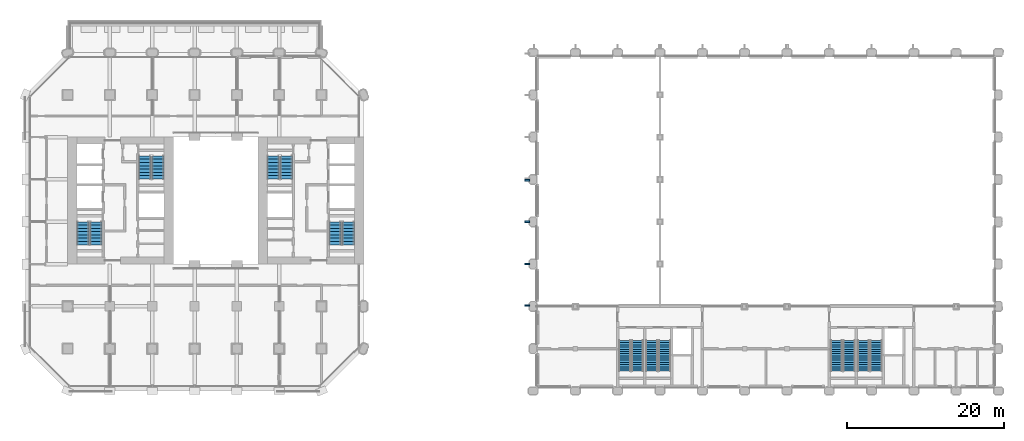
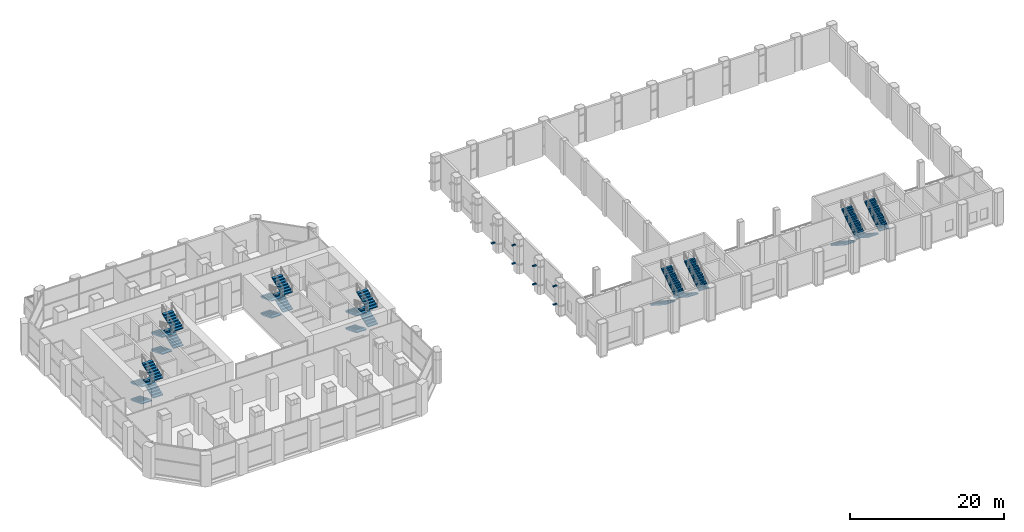
# One storey, part 17 of 27: 24 stair flights, 7 discrete accessories, 8 elements without a shape of their own.
"""IFC4 building model written with IfcOpenShell, lengths in metres."""

from ifc_helpers import new_model, si_unit, direction, frame, origin, origin_2d, place, context, subcontext, project, spatial, polyline, rectangle, outline, extrude, material, type_object, element, aggregate, save


model = new_model("IFC4")

# Units and contexts
model_context = context("Model", 3, precision=1e-05, world=origin(), true_north=direction((0.0, 1.0)))
body_context = subcontext(model_context, "Body", "Model", "MODEL_VIEW")
ifc_project = project(units=[si_unit("LENGTHUNIT", "METRE"), si_unit("AREAUNIT", "SQUARE_METRE"), si_unit("VOLUMEUNIT", "CUBIC_METRE"), si_unit("PLANEANGLEUNIT", "RADIAN"), si_unit("MASSUNIT", "GRAM", prefix="KILO")], contexts=[model_context])

# Site, building, storey
site_placement = place(None, origin())
site = spatial("IfcSite", under=ifc_project, at=site_placement, CompositionType="ELEMENT")
building_placement = place(site_placement, origin())
building = spatial("IfcBuilding", under=site, at=building_placement, Name="Tabaq Tower and Sports Hall", CompositionType="ELEMENT")
storey_placement = place(building_placement, frame((0.0, 0.0, 14.39990234375)))
storey = spatial("IfcBuildingStorey", under=building, at=storey_placement, Name="L02", CompositionType="ELEMENT", Elevation=14.39990234375)

# Stair, stair flights
ifc_material_1 = material(Name="Concrete C40/50", Category="concrete")
stair_type_1 = type_object("IfcStairType", Name="Exit stair", PredefinedType="HALF_TURN_STAIR", material=ifc_material_1)
stair_1_placement = place(storey_placement, origin())
stair_1 = element("IfcStair", 1, at=stair_1_placement, inside=storey, type_object=stair_type_1, Name="L02 Exit stair ST1", PredefinedType="HALF_TURN_STAIR")
ifc_material_2 = material(Name="Concrete C40/50", Category="concrete")
stair_flight_type_1 = type_object("IfcStairFlightType", Name="Exit stair flight", PredefinedType="STRAIGHT", material=ifc_material_2)
stair_flight_1_placement = place(storey_placement, frame((7.35009765625, 21.60009765625, 0.0), z_axis=(0.0, 0.0, 1.0), x_axis=(0.0, -1.0, 0.0)))
stair_flight_1 = element("IfcStairFlight", 2, at=stair_flight_1_placement, type_object=stair_flight_type_1, Name="ST1 flight 1", NumberOfRisers=8, NumberOfTreads=7, PredefinedType="STRAIGHT", RiserHeight=0.16875, TreadLength=0.42, context=body_context, shape_type="SweptSolid", body=[
    extrude(outline(polyline([(0.0, 0.0), (0.0, 0.168701171875), (0.419921875, 0.168701171875), (0.419921875, 0.33740234375), (0.840087890625, 0.33740234375), (0.840087890625, 0.50634765625), (1.260009765625, 0.50634765625), (1.260009765625, 0.675048828125), (1.679931640625, 0.675048828125), (1.679931640625, 0.84375), (2.10009765625, 0.84375), (2.10009765625, 1.012451171875), (2.52001953125, 1.012451171875), (2.52001953125, 1.18115234375), (2.93994140625, 1.18115234375), (2.93994140625, 1.35009765625), (2.93994140625, 1.019775390625), (0.402099609375, 0.0), (0.0, 0.0)])), frame((0.0, 0.75, 0.0), z_axis=(0.0, -1.0, 0.0), x_axis=(1.0, 0.0, 0.0)), (0.0, 0.0, 1.0), 1.5),
])
stair_flight_2_placement = place(storey_placement, frame((9.050048828125, 18.659912109375, 1.35009765625), z_axis=(0.0, 0.0, 1.0), x_axis=(0.0, 1.0, 0.0)))
stair_flight_2 = element("IfcStairFlight", 3, at=stair_flight_2_placement, type_object=stair_flight_type_1, Name="ST1 flight 2", NumberOfRisers=8, NumberOfTreads=7, PredefinedType="STRAIGHT", RiserHeight=0.16875, TreadLength=0.42, context=body_context, shape_type="SweptSolid", body=[
    extrude(outline(polyline([(0.0, 0.0), (0.0, 0.168701171875), (0.419921875, 0.168701171875), (0.419921875, 0.33740234375), (0.840087890625, 0.33740234375), (0.840087890625, 0.50634765625), (1.260009765625, 0.50634765625), (1.260009765625, 0.675048828125), (1.679931640625, 0.675048828125), (1.679931640625, 0.84375), (2.10009765625, 0.84375), (2.10009765625, 1.012451171875), (2.52001953125, 1.012451171875), (2.52001953125, 1.18115234375), (2.93994140625, 1.18115234375), (2.93994140625, 1.35009765625), (2.93994140625, 1.019775390625), (0.402099609375, 0.0), (0.0, 0.0)])), frame((0.0, 0.75, 0.0), z_axis=(0.0, -1.0, 0.0), x_axis=(1.0, 0.0, 0.0)), (0.0, 0.0, 1.0), 1.5),
])
stair_flight_3_placement = place(storey_placement, frame((7.35009765625, 21.60009765625, 2.7001953125), z_axis=(0.0, 0.0, 1.0), x_axis=(0.0, -1.0, 0.0)))
stair_flight_3 = element("IfcStairFlight", 4, at=stair_flight_3_placement, type_object=stair_flight_type_1, Name="ST1 flight 3", NumberOfRisers=8, NumberOfTreads=7, PredefinedType="STRAIGHT", RiserHeight=0.16875, TreadLength=0.42, context=body_context, shape_type="SweptSolid", body=[
    extrude(outline(polyline([(0.0, 0.0), (0.0, 0.168701171875), (0.419921875, 0.168701171875), (0.419921875, 0.33740234375), (0.840087890625, 0.33740234375), (0.840087890625, 0.50634765625), (1.260009765625, 0.50634765625), (1.260009765625, 0.675048828125), (1.679931640625, 0.675048828125), (1.679931640625, 0.84375), (2.10009765625, 0.84375), (2.10009765625, 1.012451171875), (2.52001953125, 1.012451171875), (2.52001953125, 1.18115234375), (2.93994140625, 1.18115234375), (2.93994140625, 1.35009765625), (2.93994140625, 1.019775390625), (0.402099609375, 0.0), (0.0, 0.0)])), frame((0.0, 0.75, 0.0), z_axis=(0.0, -1.0, 0.0), x_axis=(1.0, 0.0, 0.0)), (0.0, 0.0, 1.0), 1.5),
])
stair_flight_4_placement = place(storey_placement, frame((9.050048828125, 18.659912109375, 4.050048828125), z_axis=(0.0, 0.0, 1.0), x_axis=(0.0, 1.0, 0.0)))
stair_flight_4 = element("IfcStairFlight", 5, at=stair_flight_4_placement, type_object=stair_flight_type_1, Name="ST1 flight 4", NumberOfRisers=8, NumberOfTreads=7, PredefinedType="STRAIGHT", RiserHeight=0.16875, TreadLength=0.42, context=body_context, shape_type="SweptSolid", body=[
    extrude(outline(polyline([(0.0, 0.0), (0.0, 0.168701171875), (0.419921875, 0.168701171875), (0.419921875, 0.33740234375), (0.840087890625, 0.33740234375), (0.840087890625, 0.50634765625), (1.260009765625, 0.50634765625), (1.260009765625, 0.675048828125), (1.679931640625, 0.675048828125), (1.679931640625, 0.84375), (2.10009765625, 0.84375), (2.10009765625, 1.012451171875), (2.52001953125, 1.012451171875), (2.52001953125, 1.18115234375), (2.93994140625, 1.18115234375), (2.93994140625, 1.35009765625), (2.93994140625, 1.019775390625), (0.402099609375, 0.0), (0.0, 0.0)])), frame((0.0, 0.75, 0.0), z_axis=(0.0, -1.0, 0.0), x_axis=(1.0, 0.0, 0.0)), (0.0, 0.0, 1.0), 1.5),
])
aggregate(stair_1, [stair_flight_1, stair_flight_2, stair_flight_3, stair_flight_4])

stair_2_placement = place(storey_placement, origin())
stair_2 = element("IfcStair", 6, at=stair_2_placement, inside=storey, type_object=stair_type_1, Name="L02 Exit stair ST2", PredefinedType="HALF_TURN_STAIR")
stair_flight_5_placement = place(storey_placement, frame((15.25, 30.0, 0.0), z_axis=(0.0, 0.0, 1.0), x_axis=(0.0, -1.0, 0.0)))
stair_flight_5 = element("IfcStairFlight", 7, at=stair_flight_5_placement, type_object=stair_flight_type_1, Name="ST2 flight 1", NumberOfRisers=8, NumberOfTreads=7, PredefinedType="STRAIGHT", RiserHeight=0.16875, TreadLength=0.42, context=body_context, shape_type="SweptSolid", body=[
    extrude(outline(polyline([(0.0, 0.0), (0.0, 0.168701171875), (0.419921875, 0.168701171875), (0.419921875, 0.33740234375), (0.840087890625, 0.33740234375), (0.840087890625, 0.50634765625), (1.260009765625, 0.50634765625), (1.260009765625, 0.675048828125), (1.679931640625, 0.675048828125), (1.679931640625, 0.84375), (2.10009765625, 0.84375), (2.10009765625, 1.012451171875), (2.52001953125, 1.012451171875), (2.52001953125, 1.18115234375), (2.93994140625, 1.18115234375), (2.93994140625, 1.35009765625), (2.93994140625, 1.019775390625), (0.402099609375, 0.0), (0.0, 0.0)])), frame((0.0, 0.75, 0.0), z_axis=(0.0, -1.0, 0.0), x_axis=(1.0, 0.0, 0.0)), (0.0, 0.0, 1.0), 1.5),
])
stair_flight_6_placement = place(storey_placement, frame((16.949951171875, 27.06005859375, 1.35009765625), z_axis=(0.0, 0.0, 1.0), x_axis=(0.0, 1.0, 0.0)))
stair_flight_6 = element("IfcStairFlight", 8, at=stair_flight_6_placement, type_object=stair_flight_type_1, Name="ST2 flight 2", NumberOfRisers=8, NumberOfTreads=7, PredefinedType="STRAIGHT", RiserHeight=0.16875, TreadLength=0.42, context=body_context, shape_type="SweptSolid", body=[
    extrude(outline(polyline([(0.0, 0.0), (0.0, 0.168701171875), (0.419921875, 0.168701171875), (0.419921875, 0.33740234375), (0.840087890625, 0.33740234375), (0.840087890625, 0.50634765625), (1.260009765625, 0.50634765625), (1.260009765625, 0.675048828125), (1.679931640625, 0.675048828125), (1.679931640625, 0.84375), (2.10009765625, 0.84375), (2.10009765625, 1.012451171875), (2.52001953125, 1.012451171875), (2.52001953125, 1.18115234375), (2.93994140625, 1.18115234375), (2.93994140625, 1.35009765625), (2.93994140625, 1.019775390625), (0.402099609375, 0.0), (0.0, 0.0)])), frame((0.0, 0.75, 0.0), z_axis=(0.0, -1.0, 0.0), x_axis=(1.0, 0.0, 0.0)), (0.0, 0.0, 1.0), 1.5),
])
stair_flight_7_placement = place(storey_placement, frame((15.25, 30.0, 2.7001953125), z_axis=(0.0, 0.0, 1.0), x_axis=(0.0, -1.0, 0.0)))
stair_flight_7 = element("IfcStairFlight", 9, at=stair_flight_7_placement, type_object=stair_flight_type_1, Name="ST2 flight 3", NumberOfRisers=8, NumberOfTreads=7, PredefinedType="STRAIGHT", RiserHeight=0.16875, TreadLength=0.42, context=body_context, shape_type="SweptSolid", body=[
    extrude(outline(polyline([(0.0, 0.0), (0.0, 0.168701171875), (0.419921875, 0.168701171875), (0.419921875, 0.33740234375), (0.840087890625, 0.33740234375), (0.840087890625, 0.50634765625), (1.260009765625, 0.50634765625), (1.260009765625, 0.675048828125), (1.679931640625, 0.675048828125), (1.679931640625, 0.84375), (2.10009765625, 0.84375), (2.10009765625, 1.012451171875), (2.52001953125, 1.012451171875), (2.52001953125, 1.18115234375), (2.93994140625, 1.18115234375), (2.93994140625, 1.35009765625), (2.93994140625, 1.019775390625), (0.402099609375, 0.0), (0.0, 0.0)])), frame((0.0, 0.75, 0.0), z_axis=(0.0, -1.0, 0.0), x_axis=(1.0, 0.0, 0.0)), (0.0, 0.0, 1.0), 1.5),
])
stair_flight_8_placement = place(storey_placement, frame((16.949951171875, 27.06005859375, 4.050048828125), z_axis=(0.0, 0.0, 1.0), x_axis=(0.0, 1.0, 0.0)))
stair_flight_8 = element("IfcStairFlight", 10, at=stair_flight_8_placement, type_object=stair_flight_type_1, Name="ST2 flight 4", NumberOfRisers=8, NumberOfTreads=7, PredefinedType="STRAIGHT", RiserHeight=0.16875, TreadLength=0.42, context=body_context, shape_type="SweptSolid", body=[
    extrude(outline(polyline([(0.0, 0.0), (0.0, 0.168701171875), (0.419921875, 0.168701171875), (0.419921875, 0.33740234375), (0.840087890625, 0.33740234375), (0.840087890625, 0.50634765625), (1.260009765625, 0.50634765625), (1.260009765625, 0.675048828125), (1.679931640625, 0.675048828125), (1.679931640625, 0.84375), (2.10009765625, 0.84375), (2.10009765625, 1.012451171875), (2.52001953125, 1.012451171875), (2.52001953125, 1.18115234375), (2.93994140625, 1.18115234375), (2.93994140625, 1.35009765625), (2.93994140625, 1.019775390625), (0.402099609375, 0.0), (0.0, 0.0)])), frame((0.0, 0.75, 0.0), z_axis=(0.0, -1.0, 0.0), x_axis=(1.0, 0.0, 0.0)), (0.0, 0.0, 1.0), 1.5),
])
aggregate(stair_2, [stair_flight_5, stair_flight_6, stair_flight_7, stair_flight_8])

stair_3_placement = place(storey_placement, origin())
stair_3 = element("IfcStair", 11, at=stair_3_placement, inside=storey, type_object=stair_type_1, Name="L02 Exit stair ST3", PredefinedType="HALF_TURN_STAIR")
stair_flight_9_placement = place(storey_placement, frame((39.550048828125, 21.60009765625, 0.0), z_axis=(0.0, 0.0, 1.0), x_axis=(0.0, -1.0, 0.0)))
stair_flight_9 = element("IfcStairFlight", 12, at=stair_flight_9_placement, type_object=stair_flight_type_1, Name="ST3 flight 1", NumberOfRisers=8, NumberOfTreads=7, PredefinedType="STRAIGHT", RiserHeight=0.16875, TreadLength=0.42, context=body_context, shape_type="SweptSolid", body=[
    extrude(outline(polyline([(0.0, 0.0), (0.0, 0.168701171875), (0.419921875, 0.168701171875), (0.419921875, 0.33740234375), (0.840087890625, 0.33740234375), (0.840087890625, 0.50634765625), (1.260009765625, 0.50634765625), (1.260009765625, 0.675048828125), (1.679931640625, 0.675048828125), (1.679931640625, 0.84375), (2.10009765625, 0.84375), (2.10009765625, 1.012451171875), (2.52001953125, 1.012451171875), (2.52001953125, 1.18115234375), (2.93994140625, 1.18115234375), (2.93994140625, 1.35009765625), (2.93994140625, 1.019775390625), (0.402099609375, 0.0), (0.0, 0.0)])), frame((0.0, 0.75, 0.0), z_axis=(0.0, -1.0, 0.0), x_axis=(1.0, 0.0, 0.0)), (0.0, 0.0, 1.0), 1.5),
])
stair_flight_10_placement = place(storey_placement, frame((41.25, 18.659912109375, 1.35009765625), z_axis=(0.0, 0.0, 1.0), x_axis=(0.0, 1.0, 0.0)))
stair_flight_10 = element("IfcStairFlight", 13, at=stair_flight_10_placement, type_object=stair_flight_type_1, Name="ST3 flight 2", NumberOfRisers=8, NumberOfTreads=7, PredefinedType="STRAIGHT", RiserHeight=0.16875, TreadLength=0.42, context=body_context, shape_type="SweptSolid", body=[
    extrude(outline(polyline([(0.0, 0.0), (0.0, 0.168701171875), (0.419921875, 0.168701171875), (0.419921875, 0.33740234375), (0.840087890625, 0.33740234375), (0.840087890625, 0.50634765625), (1.260009765625, 0.50634765625), (1.260009765625, 0.675048828125), (1.679931640625, 0.675048828125), (1.679931640625, 0.84375), (2.10009765625, 0.84375), (2.10009765625, 1.012451171875), (2.52001953125, 1.012451171875), (2.52001953125, 1.18115234375), (2.93994140625, 1.18115234375), (2.93994140625, 1.35009765625), (2.93994140625, 1.019775390625), (0.402099609375, 0.0), (0.0, 0.0)])), frame((0.0, 0.75, 0.0), z_axis=(0.0, -1.0, 0.0), x_axis=(1.0, 0.0, 0.0)), (0.0, 0.0, 1.0), 1.5),
])
stair_flight_11_placement = place(storey_placement, frame((39.550048828125, 21.60009765625, 2.7001953125), z_axis=(0.0, 0.0, 1.0), x_axis=(0.0, -1.0, 0.0)))
stair_flight_11 = element("IfcStairFlight", 14, at=stair_flight_11_placement, type_object=stair_flight_type_1, Name="ST3 flight 3", NumberOfRisers=8, NumberOfTreads=7, PredefinedType="STRAIGHT", RiserHeight=0.16875, TreadLength=0.42, context=body_context, shape_type="SweptSolid", body=[
    extrude(outline(polyline([(0.0, 0.0), (0.0, 0.168701171875), (0.419921875, 0.168701171875), (0.419921875, 0.33740234375), (0.840087890625, 0.33740234375), (0.840087890625, 0.50634765625), (1.260009765625, 0.50634765625), (1.260009765625, 0.675048828125), (1.679931640625, 0.675048828125), (1.679931640625, 0.84375), (2.10009765625, 0.84375), (2.10009765625, 1.012451171875), (2.52001953125, 1.012451171875), (2.52001953125, 1.18115234375), (2.93994140625, 1.18115234375), (2.93994140625, 1.35009765625), (2.93994140625, 1.019775390625), (0.402099609375, 0.0), (0.0, 0.0)])), frame((0.0, 0.75, 0.0), z_axis=(0.0, -1.0, 0.0), x_axis=(1.0, 0.0, 0.0)), (0.0, 0.0, 1.0), 1.5),
])
stair_flight_12_placement = place(storey_placement, frame((41.25, 18.659912109375, 4.050048828125), z_axis=(0.0, 0.0, 1.0), x_axis=(0.0, 1.0, 0.0)))
stair_flight_12 = element("IfcStairFlight", 15, at=stair_flight_12_placement, type_object=stair_flight_type_1, Name="ST3 flight 4", NumberOfRisers=8, NumberOfTreads=7, PredefinedType="STRAIGHT", RiserHeight=0.16875, TreadLength=0.42, context=body_context, shape_type="SweptSolid", body=[
    extrude(outline(polyline([(0.0, 0.0), (0.0, 0.168701171875), (0.419921875, 0.168701171875), (0.419921875, 0.33740234375), (0.840087890625, 0.33740234375), (0.840087890625, 0.50634765625), (1.260009765625, 0.50634765625), (1.260009765625, 0.675048828125), (1.679931640625, 0.675048828125), (1.679931640625, 0.84375), (2.10009765625, 0.84375), (2.10009765625, 1.012451171875), (2.52001953125, 1.012451171875), (2.52001953125, 1.18115234375), (2.93994140625, 1.18115234375), (2.93994140625, 1.35009765625), (2.93994140625, 1.019775390625), (0.402099609375, 0.0), (0.0, 0.0)])), frame((0.0, 0.75, 0.0), z_axis=(0.0, -1.0, 0.0), x_axis=(1.0, 0.0, 0.0)), (0.0, 0.0, 1.0), 1.5),
])
aggregate(stair_3, [stair_flight_9, stair_flight_10, stair_flight_11, stair_flight_12])

stair_4_placement = place(storey_placement, origin())
stair_4 = element("IfcStair", 16, at=stair_4_placement, inside=storey, type_object=stair_type_1, Name="L02 Exit stair ST4", PredefinedType="HALF_TURN_STAIR")
stair_flight_13_placement = place(storey_placement, frame((31.64990234375, 30.0, 0.0), z_axis=(0.0, 0.0, 1.0), x_axis=(0.0, -1.0, 0.0)))
stair_flight_13 = element("IfcStairFlight", 17, at=stair_flight_13_placement, type_object=stair_flight_type_1, Name="ST4 flight 1", NumberOfRisers=8, NumberOfTreads=7, PredefinedType="STRAIGHT", RiserHeight=0.16875, TreadLength=0.42, context=body_context, shape_type="SweptSolid", body=[
    extrude(outline(polyline([(0.0, 0.0), (0.0, 0.168701171875), (0.419921875, 0.168701171875), (0.419921875, 0.33740234375), (0.840087890625, 0.33740234375), (0.840087890625, 0.50634765625), (1.260009765625, 0.50634765625), (1.260009765625, 0.675048828125), (1.679931640625, 0.675048828125), (1.679931640625, 0.84375), (2.10009765625, 0.84375), (2.10009765625, 1.012451171875), (2.52001953125, 1.012451171875), (2.52001953125, 1.18115234375), (2.93994140625, 1.18115234375), (2.93994140625, 1.35009765625), (2.93994140625, 1.019775390625), (0.402099609375, 0.0), (0.0, 0.0)])), frame((0.0, 0.75, 0.0), z_axis=(0.0, -1.0, 0.0), x_axis=(1.0, 0.0, 0.0)), (0.0, 0.0, 1.0), 1.5),
])
stair_flight_14_placement = place(storey_placement, frame((33.35009765625, 27.06005859375, 1.35009765625), z_axis=(0.0, 0.0, 1.0), x_axis=(0.0, 1.0, 0.0)))
stair_flight_14 = element("IfcStairFlight", 18, at=stair_flight_14_placement, type_object=stair_flight_type_1, Name="ST4 flight 2", NumberOfRisers=8, NumberOfTreads=7, PredefinedType="STRAIGHT", RiserHeight=0.16875, TreadLength=0.42, context=body_context, shape_type="SweptSolid", body=[
    extrude(outline(polyline([(0.0, 0.0), (0.0, 0.168701171875), (0.419921875, 0.168701171875), (0.419921875, 0.33740234375), (0.840087890625, 0.33740234375), (0.840087890625, 0.50634765625), (1.260009765625, 0.50634765625), (1.260009765625, 0.675048828125), (1.679931640625, 0.675048828125), (1.679931640625, 0.84375), (2.10009765625, 0.84375), (2.10009765625, 1.012451171875), (2.52001953125, 1.012451171875), (2.52001953125, 1.18115234375), (2.93994140625, 1.18115234375), (2.93994140625, 1.35009765625), (2.93994140625, 1.019775390625), (0.402099609375, 0.0), (0.0, 0.0)])), frame((0.0, 0.75, 0.0), z_axis=(0.0, -1.0, 0.0), x_axis=(1.0, 0.0, 0.0)), (0.0, 0.0, 1.0), 1.5),
])
stair_flight_15_placement = place(storey_placement, frame((31.64990234375, 30.0, 2.7001953125), z_axis=(0.0, 0.0, 1.0), x_axis=(0.0, -1.0, 0.0)))
stair_flight_15 = element("IfcStairFlight", 19, at=stair_flight_15_placement, type_object=stair_flight_type_1, Name="ST4 flight 3", NumberOfRisers=8, NumberOfTreads=7, PredefinedType="STRAIGHT", RiserHeight=0.16875, TreadLength=0.42, context=body_context, shape_type="SweptSolid", body=[
    extrude(outline(polyline([(0.0, 0.0), (0.0, 0.168701171875), (0.419921875, 0.168701171875), (0.419921875, 0.33740234375), (0.840087890625, 0.33740234375), (0.840087890625, 0.50634765625), (1.260009765625, 0.50634765625), (1.260009765625, 0.675048828125), (1.679931640625, 0.675048828125), (1.679931640625, 0.84375), (2.10009765625, 0.84375), (2.10009765625, 1.012451171875), (2.52001953125, 1.012451171875), (2.52001953125, 1.18115234375), (2.93994140625, 1.18115234375), (2.93994140625, 1.35009765625), (2.93994140625, 1.019775390625), (0.402099609375, 0.0), (0.0, 0.0)])), frame((0.0, 0.75, 0.0), z_axis=(0.0, -1.0, 0.0), x_axis=(1.0, 0.0, 0.0)), (0.0, 0.0, 1.0), 1.5),
])
stair_flight_16_placement = place(storey_placement, frame((33.35009765625, 27.06005859375, 4.050048828125), z_axis=(0.0, 0.0, 1.0), x_axis=(0.0, 1.0, 0.0)))
stair_flight_16 = element("IfcStairFlight", 20, at=stair_flight_16_placement, type_object=stair_flight_type_1, Name="ST4 flight 4", NumberOfRisers=8, NumberOfTreads=7, PredefinedType="STRAIGHT", RiserHeight=0.16875, TreadLength=0.42, context=body_context, shape_type="SweptSolid", body=[
    extrude(outline(polyline([(0.0, 0.0), (0.0, 0.168701171875), (0.419921875, 0.168701171875), (0.419921875, 0.33740234375), (0.840087890625, 0.33740234375), (0.840087890625, 0.50634765625), (1.260009765625, 0.50634765625), (1.260009765625, 0.675048828125), (1.679931640625, 0.675048828125), (1.679931640625, 0.84375), (2.10009765625, 0.84375), (2.10009765625, 1.012451171875), (2.52001953125, 1.012451171875), (2.52001953125, 1.18115234375), (2.93994140625, 1.18115234375), (2.93994140625, 1.35009765625), (2.93994140625, 1.019775390625), (0.402099609375, 0.0), (0.0, 0.0)])), frame((0.0, 0.75, 0.0), z_axis=(0.0, -1.0, 0.0), x_axis=(1.0, 0.0, 0.0)), (0.0, 0.0, 1.0), 1.5),
])
aggregate(stair_4, [stair_flight_13, stair_flight_14, stair_flight_15, stair_flight_16])

ifc_material_3 = material(Name="Concrete C40/50", Category="concrete")
stair_type_2 = type_object("IfcStairType", Name="HALL STAIR HALF-TURN", PredefinedType="HALF_TURN_STAIR", material=ifc_material_3)
stair_5_placement = place(storey_placement, origin())
stair_5 = element("IfcStair", 21, at=stair_5_placement, inside=storey, type_object=stair_type_2, Name="L02 Stair H1", PredefinedType="HALF_TURN_STAIR")
ifc_material_4 = material(Name="Concrete C40/50", Category="concrete")
stair_flight_type_2 = type_object("IfcStairFlightType", Name="HALL STAIR FLIGHT 1500", PredefinedType="STRAIGHT", material=ifc_material_4)
stair_flight_17_placement = place(storey_placement, frame((76.5, 6.449951171875, 0.0), z_axis=(0.0, 0.0, 1.0), x_axis=(0.0, -1.0, 0.0)))
stair_flight_17 = element("IfcStairFlight", 22, at=stair_flight_17_placement, type_object=stair_flight_type_2, Name="ST-H1 flight 1", NumberOfRisers=15, NumberOfTreads=14, PredefinedType="STRAIGHT", RiserHeight=0.18, TreadLength=0.28, context=body_context, shape_type="SweptSolid", body=[
    extrude(outline(polyline([(0.0, 0.0), (0.0, 0.179931640625), (0.280029296875, 0.179931640625), (0.280029296875, 0.360107421875), (0.56005859375, 0.360107421875), (0.56005859375, 0.5400390625), (0.840087890625, 0.5400390625), (0.840087890625, 0.719970703125), (1.1201171875, 0.719970703125), (1.1201171875, 0.89990234375), (1.39990234375, 0.89990234375), (1.39990234375, 1.080078125), (1.679931640625, 1.080078125), (1.679931640625, 1.260009765625), (1.9599609375, 1.260009765625), (1.9599609375, 1.43994140625), (2.239990234375, 1.43994140625), (2.239990234375, 1.6201171875), (2.52001953125, 1.6201171875), (2.52001953125, 1.800048828125), (2.800048828125, 1.800048828125), (2.800048828125, 1.97998046875), (3.080078125, 1.97998046875), (3.080078125, 2.159912109375), (3.360107421875, 2.159912109375), (3.360107421875, 2.340087890625), (3.639892578125, 2.340087890625), (3.639892578125, 2.52001953125), (3.919921875, 2.52001953125), (3.919921875, 2.699951171875), (3.919921875, 2.341796875), (0.277099609375, 0.0), (0.0, 0.0)])), frame((0.0, 0.75, 0.0), z_axis=(0.0, -1.0, 0.0), x_axis=(1.0, 0.0, 0.0)), (0.0, 0.0, 1.0), 1.5),
])
stair_flight_18_placement = place(storey_placement, frame((78.14990234375, 2.530029296875, 2.7001953125), z_axis=(0.0, 0.0, 1.0), x_axis=(0.0, 1.0, 0.0)))
stair_flight_18 = element("IfcStairFlight", 23, at=stair_flight_18_placement, type_object=stair_flight_type_2, Name="ST-H1 flight 2", NumberOfRisers=15, NumberOfTreads=14, PredefinedType="STRAIGHT", RiserHeight=0.18, TreadLength=0.28, context=body_context, shape_type="SweptSolid", body=[
    extrude(outline(polyline([(0.0, 0.0), (0.0, 0.179931640625), (0.280029296875, 0.179931640625), (0.280029296875, 0.360107421875), (0.56005859375, 0.360107421875), (0.56005859375, 0.5400390625), (0.840087890625, 0.5400390625), (0.840087890625, 0.719970703125), (1.1201171875, 0.719970703125), (1.1201171875, 0.89990234375), (1.39990234375, 0.89990234375), (1.39990234375, 1.080078125), (1.679931640625, 1.080078125), (1.679931640625, 1.260009765625), (1.9599609375, 1.260009765625), (1.9599609375, 1.43994140625), (2.239990234375, 1.43994140625), (2.239990234375, 1.6201171875), (2.52001953125, 1.6201171875), (2.52001953125, 1.800048828125), (2.800048828125, 1.800048828125), (2.800048828125, 1.97998046875), (3.080078125, 1.97998046875), (3.080078125, 2.159912109375), (3.360107421875, 2.159912109375), (3.360107421875, 2.340087890625), (3.639892578125, 2.340087890625), (3.639892578125, 2.52001953125), (3.919921875, 2.52001953125), (3.919921875, 2.699951171875), (3.919921875, 2.341796875), (0.277099609375, 0.0), (0.0, 0.0)])), frame((0.0, 0.75, 0.0), z_axis=(0.0, -1.0, 0.0), x_axis=(1.0, 0.0, 0.0)), (0.0, 0.0, 1.0), 1.5),
])
aggregate(stair_5, [stair_flight_17, stair_flight_18])

stair_6_placement = place(storey_placement, origin())
stair_6 = element("IfcStair", 24, at=stair_6_placement, inside=storey, type_object=stair_type_2, Name="L02 Stair H2", PredefinedType="HALF_TURN_STAIR")
stair_flight_19_placement = place(storey_placement, frame((79.949951171875, 6.449951171875, 0.0), z_axis=(0.0, 0.0, 1.0), x_axis=(0.0, -1.0, 0.0)))
stair_flight_19 = element("IfcStairFlight", 25, at=stair_flight_19_placement, type_object=stair_flight_type_2, Name="ST-H2 flight 1", NumberOfRisers=15, NumberOfTreads=14, PredefinedType="STRAIGHT", RiserHeight=0.18, TreadLength=0.28, context=body_context, shape_type="SweptSolid", body=[
    extrude(outline(polyline([(0.0, 0.0), (0.0, 0.179931640625), (0.280029296875, 0.179931640625), (0.280029296875, 0.360107421875), (0.56005859375, 0.360107421875), (0.56005859375, 0.5400390625), (0.840087890625, 0.5400390625), (0.840087890625, 0.719970703125), (1.1201171875, 0.719970703125), (1.1201171875, 0.89990234375), (1.39990234375, 0.89990234375), (1.39990234375, 1.080078125), (1.679931640625, 1.080078125), (1.679931640625, 1.260009765625), (1.9599609375, 1.260009765625), (1.9599609375, 1.43994140625), (2.239990234375, 1.43994140625), (2.239990234375, 1.6201171875), (2.52001953125, 1.6201171875), (2.52001953125, 1.800048828125), (2.800048828125, 1.800048828125), (2.800048828125, 1.97998046875), (3.080078125, 1.97998046875), (3.080078125, 2.159912109375), (3.360107421875, 2.159912109375), (3.360107421875, 2.340087890625), (3.639892578125, 2.340087890625), (3.639892578125, 2.52001953125), (3.919921875, 2.52001953125), (3.919921875, 2.699951171875), (3.919921875, 2.341796875), (0.277099609375, 0.0), (0.0, 0.0)])), frame((0.0, 0.75, 0.0), z_axis=(0.0, -1.0, 0.0), x_axis=(1.0, 0.0, 0.0)), (0.0, 0.0, 1.0), 1.5),
])
stair_flight_20_placement = place(storey_placement, frame((81.60009765625, 2.530029296875, 2.7001953125), z_axis=(0.0, 0.0, 1.0), x_axis=(0.0, 1.0, 0.0)))
stair_flight_20 = element("IfcStairFlight", 26, at=stair_flight_20_placement, type_object=stair_flight_type_2, Name="ST-H2 flight 2", NumberOfRisers=15, NumberOfTreads=14, PredefinedType="STRAIGHT", RiserHeight=0.18, TreadLength=0.28, context=body_context, shape_type="SweptSolid", body=[
    extrude(outline(polyline([(0.0, 0.0), (0.0, 0.179931640625), (0.280029296875, 0.179931640625), (0.280029296875, 0.360107421875), (0.56005859375, 0.360107421875), (0.56005859375, 0.5400390625), (0.840087890625, 0.5400390625), (0.840087890625, 0.719970703125), (1.1201171875, 0.719970703125), (1.1201171875, 0.89990234375), (1.39990234375, 0.89990234375), (1.39990234375, 1.080078125), (1.679931640625, 1.080078125), (1.679931640625, 1.260009765625), (1.9599609375, 1.260009765625), (1.9599609375, 1.43994140625), (2.239990234375, 1.43994140625), (2.239990234375, 1.6201171875), (2.52001953125, 1.6201171875), (2.52001953125, 1.800048828125), (2.800048828125, 1.800048828125), (2.800048828125, 1.97998046875), (3.080078125, 1.97998046875), (3.080078125, 2.159912109375), (3.360107421875, 2.159912109375), (3.360107421875, 2.340087890625), (3.639892578125, 2.340087890625), (3.639892578125, 2.52001953125), (3.919921875, 2.52001953125), (3.919921875, 2.699951171875), (3.919921875, 2.341796875), (0.277099609375, 0.0), (0.0, 0.0)])), frame((0.0, 0.75, 0.0), z_axis=(0.0, -1.0, 0.0), x_axis=(1.0, 0.0, 0.0)), (0.0, 0.0, 1.0), 1.5),
])
aggregate(stair_6, [stair_flight_19, stair_flight_20])

stair_7_placement = place(storey_placement, origin())
stair_7 = element("IfcStair", 27, at=stair_7_placement, inside=storey, type_object=stair_type_2, Name="L02 Stair H3", PredefinedType="HALF_TURN_STAIR")
stair_flight_21_placement = place(storey_placement, frame((103.5, 6.449951171875, 0.0), z_axis=(0.0, 0.0, 1.0), x_axis=(0.0, -1.0, 0.0)))
stair_flight_21 = element("IfcStairFlight", 28, at=stair_flight_21_placement, type_object=stair_flight_type_2, Name="ST-H3 flight 1", NumberOfRisers=15, NumberOfTreads=14, PredefinedType="STRAIGHT", RiserHeight=0.18, TreadLength=0.28, context=body_context, shape_type="SweptSolid", body=[
    extrude(outline(polyline([(0.0, 0.0), (0.0, 0.179931640625), (0.280029296875, 0.179931640625), (0.280029296875, 0.360107421875), (0.56005859375, 0.360107421875), (0.56005859375, 0.5400390625), (0.840087890625, 0.5400390625), (0.840087890625, 0.719970703125), (1.1201171875, 0.719970703125), (1.1201171875, 0.89990234375), (1.39990234375, 0.89990234375), (1.39990234375, 1.080078125), (1.679931640625, 1.080078125), (1.679931640625, 1.260009765625), (1.9599609375, 1.260009765625), (1.9599609375, 1.43994140625), (2.239990234375, 1.43994140625), (2.239990234375, 1.6201171875), (2.52001953125, 1.6201171875), (2.52001953125, 1.800048828125), (2.800048828125, 1.800048828125), (2.800048828125, 1.97998046875), (3.080078125, 1.97998046875), (3.080078125, 2.159912109375), (3.360107421875, 2.159912109375), (3.360107421875, 2.340087890625), (3.639892578125, 2.340087890625), (3.639892578125, 2.52001953125), (3.919921875, 2.52001953125), (3.919921875, 2.699951171875), (3.919921875, 2.341796875), (0.277099609375, 0.0), (0.0, 0.0)])), frame((0.0, 0.75, 0.0), z_axis=(0.0, -1.0, 0.0), x_axis=(1.0, 0.0, 0.0)), (0.0, 0.0, 1.0), 1.5),
])
stair_flight_22_placement = place(storey_placement, frame((105.14990234375, 2.530029296875, 2.7001953125), z_axis=(0.0, 0.0, 1.0), x_axis=(0.0, 1.0, 0.0)))
stair_flight_22 = element("IfcStairFlight", 29, at=stair_flight_22_placement, type_object=stair_flight_type_2, Name="ST-H3 flight 2", NumberOfRisers=15, NumberOfTreads=14, PredefinedType="STRAIGHT", RiserHeight=0.18, TreadLength=0.28, context=body_context, shape_type="SweptSolid", body=[
    extrude(outline(polyline([(0.0, 0.0), (0.0, 0.179931640625), (0.280029296875, 0.179931640625), (0.280029296875, 0.360107421875), (0.56005859375, 0.360107421875), (0.56005859375, 0.5400390625), (0.840087890625, 0.5400390625), (0.840087890625, 0.719970703125), (1.1201171875, 0.719970703125), (1.1201171875, 0.89990234375), (1.39990234375, 0.89990234375), (1.39990234375, 1.080078125), (1.679931640625, 1.080078125), (1.679931640625, 1.260009765625), (1.9599609375, 1.260009765625), (1.9599609375, 1.43994140625), (2.239990234375, 1.43994140625), (2.239990234375, 1.6201171875), (2.52001953125, 1.6201171875), (2.52001953125, 1.800048828125), (2.800048828125, 1.800048828125), (2.800048828125, 1.97998046875), (3.080078125, 1.97998046875), (3.080078125, 2.159912109375), (3.360107421875, 2.159912109375), (3.360107421875, 2.340087890625), (3.639892578125, 2.340087890625), (3.639892578125, 2.52001953125), (3.919921875, 2.52001953125), (3.919921875, 2.699951171875), (3.919921875, 2.341796875), (0.277099609375, 0.0), (0.0, 0.0)])), frame((0.0, 0.75, 0.0), z_axis=(0.0, -1.0, 0.0), x_axis=(1.0, 0.0, 0.0)), (0.0, 0.0, 1.0), 1.5),
])
aggregate(stair_7, [stair_flight_21, stair_flight_22])

stair_8_placement = place(storey_placement, origin())
stair_8 = element("IfcStair", 30, at=stair_8_placement, inside=storey, type_object=stair_type_2, Name="L02 Stair H4", PredefinedType="HALF_TURN_STAIR")
stair_flight_23_placement = place(storey_placement, frame((106.949951171875, 6.449951171875, 0.0), z_axis=(0.0, 0.0, 1.0), x_axis=(0.0, -1.0, 0.0)))
stair_flight_23 = element("IfcStairFlight", 31, at=stair_flight_23_placement, type_object=stair_flight_type_2, Name="ST-H4 flight 1", NumberOfRisers=15, NumberOfTreads=14, PredefinedType="STRAIGHT", RiserHeight=0.18, TreadLength=0.28, context=body_context, shape_type="SweptSolid", body=[
    extrude(outline(polyline([(0.0, 0.0), (0.0, 0.179931640625), (0.280029296875, 0.179931640625), (0.280029296875, 0.360107421875), (0.56005859375, 0.360107421875), (0.56005859375, 0.5400390625), (0.840087890625, 0.5400390625), (0.840087890625, 0.719970703125), (1.1201171875, 0.719970703125), (1.1201171875, 0.89990234375), (1.39990234375, 0.89990234375), (1.39990234375, 1.080078125), (1.679931640625, 1.080078125), (1.679931640625, 1.260009765625), (1.9599609375, 1.260009765625), (1.9599609375, 1.43994140625), (2.239990234375, 1.43994140625), (2.239990234375, 1.6201171875), (2.52001953125, 1.6201171875), (2.52001953125, 1.800048828125), (2.800048828125, 1.800048828125), (2.800048828125, 1.97998046875), (3.080078125, 1.97998046875), (3.080078125, 2.159912109375), (3.360107421875, 2.159912109375), (3.360107421875, 2.340087890625), (3.639892578125, 2.340087890625), (3.639892578125, 2.52001953125), (3.919921875, 2.52001953125), (3.919921875, 2.699951171875), (3.919921875, 2.341796875), (0.277099609375, 0.0), (0.0, 0.0)])), frame((0.0, 0.75, 0.0), z_axis=(0.0, -1.0, 0.0), x_axis=(1.0, 0.0, 0.0)), (0.0, 0.0, 1.0), 1.5),
])
stair_flight_24_placement = place(storey_placement, frame((108.60009765625, 2.530029296875, 2.7001953125), z_axis=(0.0, 0.0, 1.0), x_axis=(0.0, 1.0, 0.0)))
stair_flight_24 = element("IfcStairFlight", 32, at=stair_flight_24_placement, type_object=stair_flight_type_2, Name="ST-H4 flight 2", NumberOfRisers=15, NumberOfTreads=14, PredefinedType="STRAIGHT", RiserHeight=0.18, TreadLength=0.28, context=body_context, shape_type="SweptSolid", body=[
    extrude(outline(polyline([(0.0, 0.0), (0.0, 0.179931640625), (0.280029296875, 0.179931640625), (0.280029296875, 0.360107421875), (0.56005859375, 0.360107421875), (0.56005859375, 0.5400390625), (0.840087890625, 0.5400390625), (0.840087890625, 0.719970703125), (1.1201171875, 0.719970703125), (1.1201171875, 0.89990234375), (1.39990234375, 0.89990234375), (1.39990234375, 1.080078125), (1.679931640625, 1.080078125), (1.679931640625, 1.260009765625), (1.9599609375, 1.260009765625), (1.9599609375, 1.43994140625), (2.239990234375, 1.43994140625), (2.239990234375, 1.6201171875), (2.52001953125, 1.6201171875), (2.52001953125, 1.800048828125), (2.800048828125, 1.800048828125), (2.800048828125, 1.97998046875), (3.080078125, 1.97998046875), (3.080078125, 2.159912109375), (3.360107421875, 2.159912109375), (3.360107421875, 2.340087890625), (3.639892578125, 2.340087890625), (3.639892578125, 2.52001953125), (3.919921875, 2.52001953125), (3.919921875, 2.699951171875), (3.919921875, 2.341796875), (0.277099609375, 0.0), (0.0, 0.0)])), frame((0.0, 0.75, 0.0), z_axis=(0.0, -1.0, 0.0), x_axis=(1.0, 0.0, 0.0)), (0.0, 0.0, 1.0), 1.5),
])
aggregate(stair_8, [stair_flight_23, stair_flight_24])

# Discrete accessories
for number, where, z_axis, x_axis, name in (
    (33, (64.050048828125, 10.89990234375, 1.39990234375), (0.0, 0.0, 1.0), (0.0, 1.0, 0.0), "Stainless steel bracket"),
    (34, (64.050048828125, 10.89990234375, 4.30029296875), (0.0, 0.0, 1.0), (0.0, 1.0, 0.0), "Stainless steel bracket"),
    (35, (64.050048828125, 16.199951171875, 1.39990234375), (0.0, 0.0, 1.0), (0.0, 1.0, 0.0), "Stainless steel bracket"),
    (36, (64.050048828125, 16.199951171875, 4.30029296875), (0.0, 0.0, 1.0), (0.0, 1.0, 0.0), "Stainless steel bracket"),
    (37, (64.050048828125, 21.60009765625, 1.39990234375), (0.0, 0.0, 1.0), (0.0, 1.0, 0.0), "Stainless steel bracket"),
    (38, (64.050048828125, 21.60009765625, 4.30029296875), (0.0, 0.0, 1.0), (0.0, 1.0, 0.0), "Stainless steel bracket"),
    (39, (64.050048828125, 26.89990234375, 1.39990234375), (0.0, 0.0, 1.0), (0.0, 1.0, 0.0), "Stainless steel bracket"),
):
    element("IfcDiscreteAccessory", number, at=place(storey_placement, frame(where, z_axis=z_axis, x_axis=x_axis)), inside=storey, Name=name, PredefinedType="BRACKET", context=body_context, shape_type="SweptSolid", body=[
        extrude(rectangle(XDim=0.199951171875, YDim=0.60009765625, at=origin_2d()), origin(), (0.0, 0.0, 1.0), 0.199951171875),
    ])

save(model, "model.ifc")
